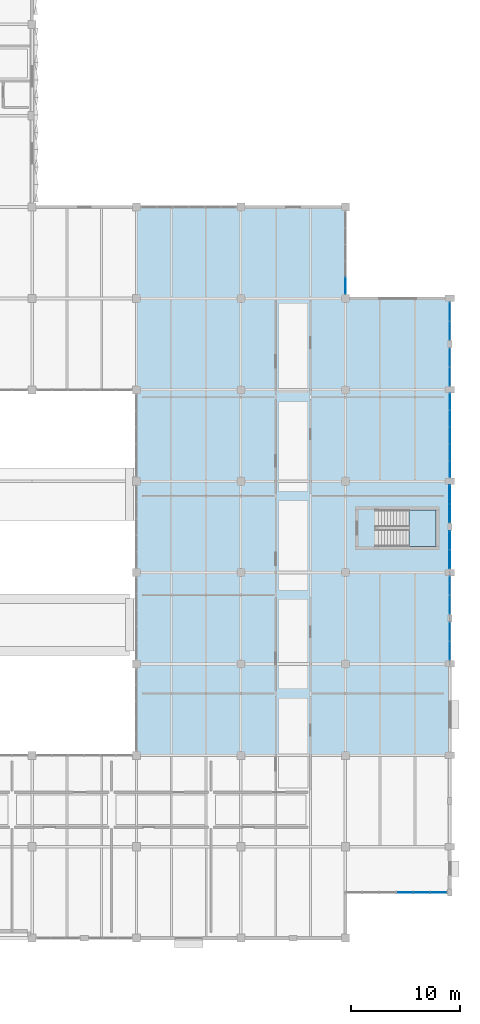
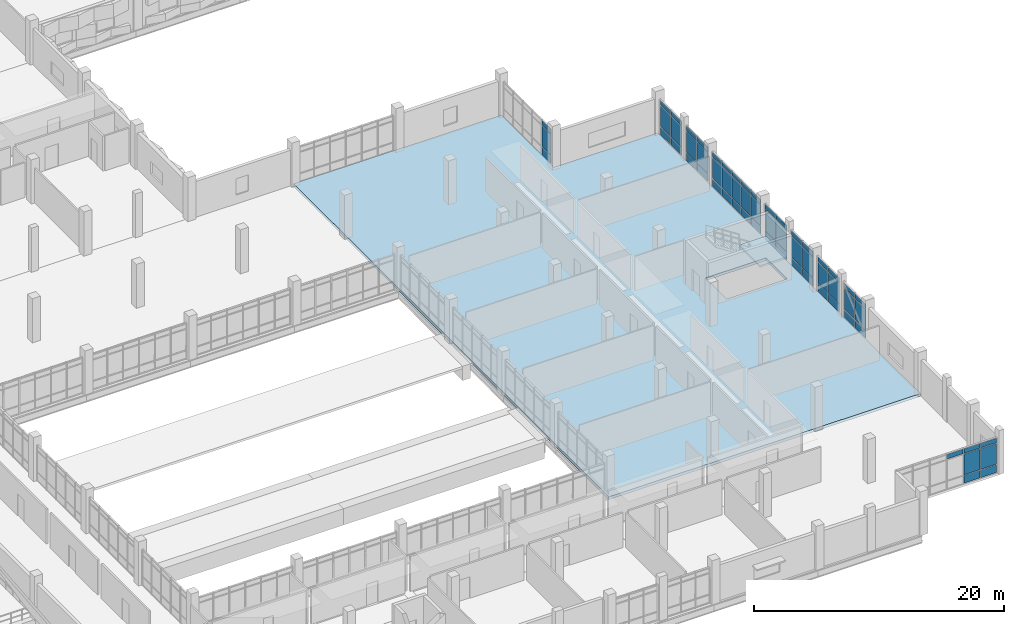
# One storey, part 45 of 86: 61 plates, 2 slabs, 10 elements without a shape of their own.
"""IFC4 building model written with IfcOpenShell, lengths in metres."""

from ifc_helpers import new_model, si_unit, direction, frame, origin, origin_2d, place, context, subcontext, project, spatial, polyline, rectangle, outline, extrude, material, layer, layer_set, type_object, element, aggregate, save


model = new_model("IFC4")

# Units and contexts
model_context = context("Model", 3, precision=1e-05, world=origin(), true_north=direction((0.0, 1.0)))
body_context = subcontext(model_context, "Body", "Model", "MODEL_VIEW")
ifc_project = project(units=[si_unit("LENGTHUNIT", "METRE"), si_unit("AREAUNIT", "SQUARE_METRE"), si_unit("VOLUMEUNIT", "CUBIC_METRE"), si_unit("PLANEANGLEUNIT", "RADIAN"), si_unit("MASSUNIT", "GRAM", prefix="KILO")], contexts=[model_context])

# Site, building, storey
site_placement = place(None, origin())
site = spatial("IfcSite", under=ifc_project, at=site_placement, CompositionType="ELEMENT")
building_placement = place(site_placement, origin())
building = spatial("IfcBuilding", under=site, at=building_placement, Name="Oolite Switchyard Hospital", CompositionType="ELEMENT")
storey_placement = place(building_placement, frame((0.0, 0.0, 13.5)))
storey = spatial("IfcBuildingStorey", under=building, at=storey_placement, Name="L03", CompositionType="ELEMENT", Elevation=13.5)

# Curtain wall, plates
ifc_material_1 = material(Name="Thermally broken aluminum frame with laminated impact glazing", Category="aluminium")
curtain_wall_type_1 = type_object("IfcCurtainWallType", Name="CW-UNIT-84X43", PredefinedType="USERDEFINED", material=ifc_material_1)
curtain_wall_1_placement = place(storey_placement, origin())
curtain_wall_1 = element("IfcCurtainWall", 1, at=curtain_wall_1_placement, inside=storey, type_object=curtain_wall_type_1, Name="L03 Unitised Curtain Wall 352", ObjectType="UNITISED", PredefinedType="USERDEFINED")
ifc_material_2 = material(Name="Insulated fluoropolymer-coated aluminum spandrel panel", Category="aluminium")
ifc_layer_1 = layer(ifc_material_2, 0.054931640625)
ifc_layer_set_1 = layer_set([ifc_layer_1], Name="CW-PNL-SPN55")
plate_type_1 = type_object("IfcPlateType", Name="CW-PNL-SPN55", PredefinedType="CURTAIN_PANEL", material=ifc_layer_set_1)
plate_1_placement = place(storey_placement, frame((211.199951171875, 49.18115234375, 0.06005859375), z_axis=(0.0, 0.0, 1.0), x_axis=(0.0, -1.0, 0.0)))
plate_1 = element("IfcPlate", 2, at=plate_1_placement, type_object=plate_type_1, Name="CW-09 panel 1.1", PredefinedType="CURTAIN_PANEL", context=body_context, shape_type="SweptSolid", body=[
    extrude(rectangle(XDim=1.66748046875, YDim=0.054931640625, at=origin_2d()), origin(), (0.0, 0.0, 1.0), 0.760009765625),
])
plate_2_placement = place(storey_placement, frame((211.199951171875, 49.18115234375, 0.8798828125), z_axis=(0.0, 0.0, 1.0), x_axis=(0.0, -1.0, 0.0)))
plate_2 = element("IfcPlate", 3, at=plate_2_placement, type_object=plate_type_1, Name="CW-09 panel 1.2", PredefinedType="CURTAIN_PANEL", context=body_context, shape_type="SweptSolid", body=[
    extrude(rectangle(XDim=1.66748046875, YDim=0.054931640625, at=origin_2d()), origin(), (0.0, 0.0, 1.0), 2.030029296875),
])
plate_3_placement = place(storey_placement, frame((211.199951171875, 49.18115234375, 2.969970703125), z_axis=(0.0, 0.0, 1.0), x_axis=(0.0, -1.0, 0.0)))
plate_3 = element("IfcPlate", 4, at=plate_3_placement, type_object=plate_type_1, Name="CW-09 panel 1.3", PredefinedType="CURTAIN_PANEL", context=body_context, shape_type="SweptSolid", body=[
    extrude(rectangle(XDim=1.66748046875, YDim=0.054931640625, at=origin_2d()), origin(), (0.0, 0.0, 1.0), 0.4599609375),
])
plate_4_placement = place(storey_placement, frame((211.199951171875, 47.44384765625, 0.06005859375), z_axis=(0.0, 0.0, 1.0), x_axis=(0.0, -1.0, 0.0)))
plate_4 = element("IfcPlate", 5, at=plate_4_placement, type_object=plate_type_1, Name="CW-09 panel 2.1", PredefinedType="CURTAIN_PANEL", context=body_context, shape_type="SweptSolid", body=[
    extrude(rectangle(XDim=1.66748046875, YDim=0.054931640625, at=origin_2d()), origin(), (0.0, 0.0, 1.0), 0.760009765625),
])
plate_5_placement = place(storey_placement, frame((211.199951171875, 47.44384765625, 0.8798828125), z_axis=(0.0, 0.0, 1.0), x_axis=(0.0, -1.0, 0.0)))
plate_5 = element("IfcPlate", 6, at=plate_5_placement, type_object=plate_type_1, Name="CW-09 panel 2.2", PredefinedType="CURTAIN_PANEL", context=body_context, shape_type="SweptSolid", body=[
    extrude(rectangle(XDim=1.66748046875, YDim=0.054931640625, at=origin_2d()), origin(), (0.0, 0.0, 1.0), 2.030029296875),
])
plate_6_placement = place(storey_placement, frame((211.199951171875, 47.44384765625, 2.969970703125), z_axis=(0.0, 0.0, 1.0), x_axis=(0.0, -1.0, 0.0)))
plate_6 = element("IfcPlate", 7, at=plate_6_placement, type_object=plate_type_1, Name="CW-09 panel 2.3", PredefinedType="CURTAIN_PANEL", context=body_context, shape_type="SweptSolid", body=[
    extrude(rectangle(XDim=1.66748046875, YDim=0.054931640625, at=origin_2d()), origin(), (0.0, 0.0, 1.0), 0.4599609375),
])
aggregate(curtain_wall_1, [plate_1, plate_2, plate_3, plate_4, plate_5, plate_6])

curtain_wall_type_2 = type_object("IfcCurtainWallType", Name="CW-UNIT-96X43", PredefinedType="USERDEFINED", material=ifc_material_1)
curtain_wall_2_placement = place(storey_placement, origin())
curtain_wall_2 = element("IfcCurtainWall", 8, at=curtain_wall_2_placement, inside=storey, type_object=curtain_wall_type_2, Name="L03 Unitised Curtain Wall 329", ObjectType="UNITISED", PredefinedType="USERDEFINED")
ifc_layer_2 = layer(ifc_material_2, 0.070068359375)
ifc_layer_set_2 = layer_set([ifc_layer_2], Name="CW-PNL-SPN70")
plate_type_2 = type_object("IfcPlateType", Name="CW-PNL-SPN70", PredefinedType="CURTAIN_PANEL", material=ifc_layer_set_2)
plate_7_placement = place(storey_placement, frame((210.1611328125, 12.60009765625, 0.0751953125), z_axis=(0.0, 0.0, 1.0), x_axis=(-1.0, 0.0, 0.0)))
plate_7 = element("IfcPlate", 9, at=plate_7_placement, type_object=plate_type_2, Name="CW-04 panel 1.1", PredefinedType="CURTAIN_PANEL", context=body_context, shape_type="SweptSolid", body=[
    extrude(rectangle(XDim=1.447509765625, YDim=0.070068359375, at=origin_2d()), origin(), (0.0, 0.0, 1.0), 0.737548828125),
])
plate_8_placement = place(storey_placement, frame((210.1611328125, 12.60009765625, 0.8876953125), z_axis=(0.0, 0.0, 1.0), x_axis=(-1.0, 0.0, 0.0)))
plate_8 = element("IfcPlate", 10, at=plate_8_placement, type_object=plate_type_2, Name="CW-04 panel 1.2", PredefinedType="CURTAIN_PANEL", context=body_context, shape_type="SweptSolid", body=[
    extrude(rectangle(XDim=1.447509765625, YDim=0.070068359375, at=origin_2d()), origin(), (0.0, 0.0, 1.0), 2.014892578125),
])
plate_9_placement = place(storey_placement, frame((210.1611328125, 12.60009765625, 2.9775390625), z_axis=(0.0, 0.0, 1.0), x_axis=(-1.0, 0.0, 0.0)))
plate_9 = element("IfcPlate", 11, at=plate_9_placement, type_object=plate_type_2, Name="CW-04 panel 1.3", PredefinedType="CURTAIN_PANEL", context=body_context, shape_type="SweptSolid", body=[
    extrude(rectangle(XDim=1.447509765625, YDim=0.070068359375, at=origin_2d()), origin(), (0.0, 0.0, 1.0), 0.4375),
])
plate_10_placement = place(storey_placement, frame((208.6201171875, 12.60009765625, 0.0751953125), z_axis=(0.0, 0.0, 1.0), x_axis=(-1.0, 0.0, 0.0)))
plate_10 = element("IfcPlate", 12, at=plate_10_placement, type_object=plate_type_2, Name="CW-04 panel 2.1", PredefinedType="CURTAIN_PANEL", context=body_context, shape_type="SweptSolid", body=[
    extrude(rectangle(XDim=1.485107421875, YDim=0.070068359375, at=origin_2d()), origin(), (0.0, 0.0, 1.0), 0.737548828125),
])
plate_11_placement = place(storey_placement, frame((208.6201171875, 12.60009765625, 0.8876953125), z_axis=(0.0, 0.0, 1.0), x_axis=(-1.0, 0.0, 0.0)))
plate_11 = element("IfcPlate", 13, at=plate_11_placement, type_object=plate_type_2, Name="CW-04 panel 2.2", PredefinedType="CURTAIN_PANEL", context=body_context, shape_type="SweptSolid", body=[
    extrude(rectangle(XDim=1.485107421875, YDim=0.070068359375, at=origin_2d()), origin(), (0.0, 0.0, 1.0), 2.014892578125),
])
plate_12_placement = place(storey_placement, frame((208.6201171875, 12.60009765625, 2.9775390625), z_axis=(0.0, 0.0, 1.0), x_axis=(-1.0, 0.0, 0.0)))
plate_12 = element("IfcPlate", 14, at=plate_12_placement, type_object=plate_type_2, Name="CW-04 panel 2.3", PredefinedType="CURTAIN_PANEL", context=body_context, shape_type="SweptSolid", body=[
    extrude(rectangle(XDim=1.485107421875, YDim=0.070068359375, at=origin_2d()), origin(), (0.0, 0.0, 1.0), 0.4375),
])
plate_13_placement = place(storey_placement, frame((207.06005859375, 12.60009765625, 2.9775390625), z_axis=(0.0, 0.0, 1.0), x_axis=(-1.0, 0.0, 0.0)))
plate_13 = element("IfcPlate", 15, at=plate_13_placement, type_object=plate_type_2, Name="CW-04 panel 3.3", PredefinedType="CURTAIN_PANEL", context=body_context, shape_type="SweptSolid", body=[
    extrude(rectangle(XDim=1.485107421875, YDim=0.070068359375, at=origin_2d()), origin(), (0.0, 0.0, 1.0), 0.4375),
])
aggregate(curtain_wall_2, [plate_7, plate_8, plate_9, plate_10, plate_11, plate_12, plate_13])

curtain_wall_3_placement = place(storey_placement, origin())
curtain_wall_3 = element("IfcCurtainWall", 16, at=curtain_wall_3_placement, inside=storey, type_object=curtain_wall_type_1, Name="L03 Unitised Curtain Wall 353", ObjectType="UNITISED", PredefinedType="USERDEFINED")
plate_14_placement = place(storey_placement, frame((211.199951171875, 44.955078125, 0.0751953125), z_axis=(0.0, 0.0, 1.0), x_axis=(0.0, -1.0, 0.0)))
plate_14 = element("IfcPlate", 17, at=plate_14_placement, type_object=plate_type_2, Name="CW-09 panel 1.1", PredefinedType="CURTAIN_PANEL", context=body_context, shape_type="SweptSolid", body=[
    extrude(rectangle(XDim=1.659912109375, YDim=0.070068359375, at=origin_2d()), origin(), (0.0, 0.0, 1.0), 0.737548828125),
])
plate_15_placement = place(storey_placement, frame((211.199951171875, 44.955078125, 0.8876953125), z_axis=(0.0, 0.0, 1.0), x_axis=(0.0, -1.0, 0.0)))
plate_15 = element("IfcPlate", 18, at=plate_15_placement, type_object=plate_type_2, Name="CW-09 panel 1.2", PredefinedType="CURTAIN_PANEL", context=body_context, shape_type="SweptSolid", body=[
    extrude(rectangle(XDim=1.659912109375, YDim=0.070068359375, at=origin_2d()), origin(), (0.0, 0.0, 1.0), 2.014892578125),
])
plate_16_placement = place(storey_placement, frame((211.199951171875, 44.955078125, 2.9775390625), z_axis=(0.0, 0.0, 1.0), x_axis=(0.0, -1.0, 0.0)))
plate_16 = element("IfcPlate", 19, at=plate_16_placement, type_object=plate_type_2, Name="CW-09 panel 1.3", PredefinedType="CURTAIN_PANEL", context=body_context, shape_type="SweptSolid", body=[
    extrude(rectangle(XDim=1.659912109375, YDim=0.070068359375, at=origin_2d()), origin(), (0.0, 0.0, 1.0), 0.4375),
])
plate_17_placement = place(storey_placement, frame((211.199951171875, 43.219970703125, 0.0751953125), z_axis=(0.0, 0.0, 1.0), x_axis=(0.0, -1.0, 0.0)))
plate_17 = element("IfcPlate", 20, at=plate_17_placement, type_object=plate_type_2, Name="CW-09 panel 2.1", PredefinedType="CURTAIN_PANEL", context=body_context, shape_type="SweptSolid", body=[
    extrude(rectangle(XDim=1.659912109375, YDim=0.070068359375, at=origin_2d()), origin(), (0.0, 0.0, 1.0), 0.737548828125),
])
plate_18_placement = place(storey_placement, frame((211.199951171875, 43.219970703125, 0.8876953125), z_axis=(0.0, 0.0, 1.0), x_axis=(0.0, -1.0, 0.0)))
plate_18 = element("IfcPlate", 21, at=plate_18_placement, type_object=plate_type_2, Name="CW-09 panel 2.2", PredefinedType="CURTAIN_PANEL", context=body_context, shape_type="SweptSolid", body=[
    extrude(rectangle(XDim=1.659912109375, YDim=0.070068359375, at=origin_2d()), origin(), (0.0, 0.0, 1.0), 2.014892578125),
])
plate_19_placement = place(storey_placement, frame((211.199951171875, 43.219970703125, 2.9775390625), z_axis=(0.0, 0.0, 1.0), x_axis=(0.0, -1.0, 0.0)))
plate_19 = element("IfcPlate", 22, at=plate_19_placement, type_object=plate_type_2, Name="CW-09 panel 2.3", PredefinedType="CURTAIN_PANEL", context=body_context, shape_type="SweptSolid", body=[
    extrude(rectangle(XDim=1.659912109375, YDim=0.070068359375, at=origin_2d()), origin(), (0.0, 0.0, 1.0), 0.4375),
])
aggregate(curtain_wall_3, [plate_14, plate_15, plate_16, plate_17, plate_18, plate_19])

curtain_wall_4_placement = place(storey_placement, origin())
curtain_wall_4 = element("IfcCurtainWall", 23, at=curtain_wall_4_placement, inside=storey, type_object=curtain_wall_type_1, Name="L03 Unitised Curtain Wall 354", ObjectType="UNITISED", PredefinedType="USERDEFINED")
ifc_material_3 = material(Name="Laminated hurricane-impact insulated glazing unit", Category="glass")
ifc_layer_3 = layer(ifc_material_3, 0.028076171875)
ifc_layer_set_3 = layer_set([ifc_layer_3], Name="CW-PNL-VIS28")
plate_type_3 = type_object("IfcPlateType", Name="CW-PNL-VIS28", PredefinedType="CURTAIN_PANEL", material=ifc_layer_set_3)
plate_20_placement = place(storey_placement, frame((211.199951171875, 40.78369140625, 0.06005859375), z_axis=(0.0, 0.0, 1.0), x_axis=(0.0, -1.0, 0.0)))
plate_20 = element("IfcPlate", 24, at=plate_20_placement, type_object=plate_type_3, Name="CW-09 panel 1.1", PredefinedType="CURTAIN_PANEL", context=body_context, shape_type="SweptSolid", body=[
    extrude(rectangle(XDim=1.6826171875, YDim=0.028076171875, at=origin_2d()), origin(), (0.0, 0.0, 1.0), 0.760009765625),
])
plate_21_placement = place(storey_placement, frame((211.199951171875, 40.78369140625, 0.8798828125), z_axis=(0.0, 0.0, 1.0), x_axis=(0.0, -1.0, 0.0)))
plate_21 = element("IfcPlate", 25, at=plate_21_placement, type_object=plate_type_3, Name="CW-09 panel 1.2", PredefinedType="CURTAIN_PANEL", context=body_context, shape_type="SweptSolid", body=[
    extrude(rectangle(XDim=1.6826171875, YDim=0.028076171875, at=origin_2d()), origin(), (0.0, 0.0, 1.0), 2.030029296875),
])
plate_22_placement = place(storey_placement, frame((211.199951171875, 40.78369140625, 2.969970703125), z_axis=(0.0, 0.0, 1.0), x_axis=(0.0, -1.0, 0.0)))
plate_22 = element("IfcPlate", 26, at=plate_22_placement, type_object=plate_type_3, Name="CW-09 panel 1.3", PredefinedType="CURTAIN_PANEL", context=body_context, shape_type="SweptSolid", body=[
    extrude(rectangle(XDim=1.6826171875, YDim=0.028076171875, at=origin_2d()), origin(), (0.0, 0.0, 1.0), 0.4599609375),
])
plate_23_placement = place(storey_placement, frame((211.199951171875, 39.041259765625, 0.06005859375), z_axis=(0.0, 0.0, 1.0), x_axis=(0.0, -1.0, 0.0)))
plate_23 = element("IfcPlate", 27, at=plate_23_placement, type_object=plate_type_3, Name="CW-09 panel 2.1", PredefinedType="CURTAIN_PANEL", context=body_context, shape_type="SweptSolid", body=[
    extrude(rectangle(XDim=1.6826171875, YDim=0.028076171875, at=origin_2d()), origin(), (0.0, 0.0, 1.0), 0.760009765625),
])
plate_24_placement = place(storey_placement, frame((211.199951171875, 39.041259765625, 0.8798828125), z_axis=(0.0, 0.0, 1.0), x_axis=(0.0, -1.0, 0.0)))
plate_24 = element("IfcPlate", 28, at=plate_24_placement, type_object=plate_type_3, Name="CW-09 panel 2.2", PredefinedType="CURTAIN_PANEL", context=body_context, shape_type="SweptSolid", body=[
    extrude(rectangle(XDim=1.6826171875, YDim=0.028076171875, at=origin_2d()), origin(), (0.0, 0.0, 1.0), 2.030029296875),
])
plate_25_placement = place(storey_placement, frame((211.199951171875, 39.041259765625, 2.969970703125), z_axis=(0.0, 0.0, 1.0), x_axis=(0.0, -1.0, 0.0)))
plate_25 = element("IfcPlate", 29, at=plate_25_placement, type_object=plate_type_3, Name="CW-09 panel 2.3", PredefinedType="CURTAIN_PANEL", context=body_context, shape_type="SweptSolid", body=[
    extrude(rectangle(XDim=1.6826171875, YDim=0.028076171875, at=origin_2d()), origin(), (0.0, 0.0, 1.0), 0.4599609375),
])
aggregate(curtain_wall_4, [plate_20, plate_21, plate_22, plate_23, plate_24, plate_25])

curtain_wall_5_placement = place(storey_placement, origin())
curtain_wall_5 = element("IfcCurtainWall", 30, at=curtain_wall_5_placement, inside=storey, type_object=curtain_wall_type_1, Name="L03 Unitised Curtain Wall 349", ObjectType="UNITISED", PredefinedType="USERDEFINED")
ifc_layer_4 = layer(ifc_material_3, 0.031982421875)
ifc_layer_set_4 = layer_set([ifc_layer_4], Name="CW-PNL-VIS32")
plate_type_4 = type_object("IfcPlateType", Name="CW-PNL-VIS32", PredefinedType="CURTAIN_PANEL", material=ifc_layer_set_4)
plate_26_placement = place(storey_placement, frame((211.199951171875, 65.981201171875, 0.0751953125), z_axis=(0.0, 0.0, 1.0), x_axis=(0.0, -1.0, 0.0)))
plate_26 = element("IfcPlate", 31, at=plate_26_placement, type_object=plate_type_4, Name="CW-09 panel 1.1", PredefinedType="CURTAIN_PANEL", context=body_context, shape_type="SweptSolid", body=[
    extrude(rectangle(XDim=1.66748046875, YDim=0.031982421875, at=origin_2d()), origin(), (0.0, 0.0, 1.0), 0.737548828125),
])
plate_27_placement = place(storey_placement, frame((211.199951171875, 65.981201171875, 0.8876953125), z_axis=(0.0, 0.0, 1.0), x_axis=(0.0, -1.0, 0.0)))
plate_27 = element("IfcPlate", 32, at=plate_27_placement, type_object=plate_type_4, Name="CW-09 panel 1.2", PredefinedType="CURTAIN_PANEL", context=body_context, shape_type="SweptSolid", body=[
    extrude(rectangle(XDim=1.66748046875, YDim=0.031982421875, at=origin_2d()), origin(), (0.0, 0.0, 1.0), 2.014892578125),
])
plate_28_placement = place(storey_placement, frame((211.199951171875, 65.981201171875, 2.9775390625), z_axis=(0.0, 0.0, 1.0), x_axis=(0.0, -1.0, 0.0)))
plate_28 = element("IfcPlate", 33, at=plate_28_placement, type_object=plate_type_4, Name="CW-09 panel 1.3", PredefinedType="CURTAIN_PANEL", context=body_context, shape_type="SweptSolid", body=[
    extrude(rectangle(XDim=1.66748046875, YDim=0.031982421875, at=origin_2d()), origin(), (0.0, 0.0, 1.0), 0.4375),
])
plate_29_placement = place(storey_placement, frame((211.199951171875, 64.24365234375, 0.0751953125), z_axis=(0.0, 0.0, 1.0), x_axis=(0.0, -1.0, 0.0)))
plate_29 = element("IfcPlate", 34, at=plate_29_placement, type_object=plate_type_4, Name="CW-09 panel 2.1", PredefinedType="CURTAIN_PANEL", context=body_context, shape_type="SweptSolid", body=[
    extrude(rectangle(XDim=1.66748046875, YDim=0.031982421875, at=origin_2d()), origin(), (0.0, 0.0, 1.0), 0.737548828125),
])
plate_30_placement = place(storey_placement, frame((211.199951171875, 64.24365234375, 0.8876953125), z_axis=(0.0, 0.0, 1.0), x_axis=(0.0, -1.0, 0.0)))
plate_30 = element("IfcPlate", 35, at=plate_30_placement, type_object=plate_type_4, Name="CW-09 panel 2.2", PredefinedType="CURTAIN_PANEL", context=body_context, shape_type="SweptSolid", body=[
    extrude(rectangle(XDim=1.66748046875, YDim=0.031982421875, at=origin_2d()), origin(), (0.0, 0.0, 1.0), 2.014892578125),
])
plate_31_placement = place(storey_placement, frame((211.199951171875, 64.24365234375, 2.9775390625), z_axis=(0.0, 0.0, 1.0), x_axis=(0.0, -1.0, 0.0)))
plate_31 = element("IfcPlate", 36, at=plate_31_placement, type_object=plate_type_4, Name="CW-09 panel 2.3", PredefinedType="CURTAIN_PANEL", context=body_context, shape_type="SweptSolid", body=[
    extrude(rectangle(XDim=1.66748046875, YDim=0.031982421875, at=origin_2d()), origin(), (0.0, 0.0, 1.0), 0.4375),
])
aggregate(curtain_wall_5, [plate_26, plate_27, plate_28, plate_29, plate_30, plate_31])

curtain_wall_6_placement = place(storey_placement, origin())
curtain_wall_6 = element("IfcCurtainWall", 37, at=curtain_wall_6_placement, inside=storey, type_object=curtain_wall_type_1, Name="L03 Unitised Curtain Wall 355", ObjectType="UNITISED", PredefinedType="USERDEFINED")
plate_32_placement = place(storey_placement, frame((211.199951171875, 36.55615234375, 0.0751953125), z_axis=(0.0, 0.0, 1.0), x_axis=(0.0, -1.0, 0.0)))
plate_32 = element("IfcPlate", 38, at=plate_32_placement, type_object=plate_type_4, Name="CW-09 panel 1.1", PredefinedType="CURTAIN_PANEL", context=body_context, shape_type="SweptSolid", body=[
    extrude(rectangle(XDim=1.66748046875, YDim=0.031982421875, at=origin_2d()), origin(), (0.0, 0.0, 1.0), 0.737548828125),
])
plate_33_placement = place(storey_placement, frame((211.199951171875, 36.55615234375, 0.8876953125), z_axis=(0.0, 0.0, 1.0), x_axis=(0.0, -1.0, 0.0)))
plate_33 = element("IfcPlate", 39, at=plate_33_placement, type_object=plate_type_4, Name="CW-09 panel 1.2", PredefinedType="CURTAIN_PANEL", context=body_context, shape_type="SweptSolid", body=[
    extrude(rectangle(XDim=1.66748046875, YDim=0.031982421875, at=origin_2d()), origin(), (0.0, 0.0, 1.0), 2.014892578125),
])
plate_34_placement = place(storey_placement, frame((211.199951171875, 36.55615234375, 2.9775390625), z_axis=(0.0, 0.0, 1.0), x_axis=(0.0, -1.0, 0.0)))
plate_34 = element("IfcPlate", 40, at=plate_34_placement, type_object=plate_type_4, Name="CW-09 panel 1.3", PredefinedType="CURTAIN_PANEL", context=body_context, shape_type="SweptSolid", body=[
    extrude(rectangle(XDim=1.66748046875, YDim=0.031982421875, at=origin_2d()), origin(), (0.0, 0.0, 1.0), 0.4375),
])
plate_35_placement = place(storey_placement, frame((211.199951171875, 34.81884765625, 0.0751953125), z_axis=(0.0, 0.0, 1.0), x_axis=(0.0, -1.0, 0.0)))
plate_35 = element("IfcPlate", 41, at=plate_35_placement, type_object=plate_type_4, Name="CW-09 panel 2.1", PredefinedType="CURTAIN_PANEL", context=body_context, shape_type="SweptSolid", body=[
    extrude(rectangle(XDim=1.66748046875, YDim=0.031982421875, at=origin_2d()), origin(), (0.0, 0.0, 1.0), 0.737548828125),
])
plate_36_placement = place(storey_placement, frame((211.199951171875, 34.81884765625, 0.8876953125), z_axis=(0.0, 0.0, 1.0), x_axis=(0.0, -1.0, 0.0)))
plate_36 = element("IfcPlate", 42, at=plate_36_placement, type_object=plate_type_4, Name="CW-09 panel 2.2", PredefinedType="CURTAIN_PANEL", context=body_context, shape_type="SweptSolid", body=[
    extrude(rectangle(XDim=1.66748046875, YDim=0.031982421875, at=origin_2d()), origin(), (0.0, 0.0, 1.0), 2.014892578125),
])
plate_37_placement = place(storey_placement, frame((211.199951171875, 34.81884765625, 2.9775390625), z_axis=(0.0, 0.0, 1.0), x_axis=(0.0, -1.0, 0.0)))
plate_37 = element("IfcPlate", 43, at=plate_37_placement, type_object=plate_type_4, Name="CW-09 panel 2.3", PredefinedType="CURTAIN_PANEL", context=body_context, shape_type="SweptSolid", body=[
    extrude(rectangle(XDim=1.66748046875, YDim=0.031982421875, at=origin_2d()), origin(), (0.0, 0.0, 1.0), 0.4375),
])
aggregate(curtain_wall_6, [plate_32, plate_33, plate_34, plate_35, plate_36, plate_37])

curtain_wall_7_placement = place(storey_placement, origin())
curtain_wall_7 = element("IfcCurtainWall", 44, at=curtain_wall_7_placement, inside=storey, type_object=curtain_wall_type_1, Name="L03 Unitised Curtain Wall 350", ObjectType="UNITISED", PredefinedType="USERDEFINED")
ifc_layer_5 = layer(ifc_material_3, 0.035888671875)
ifc_layer_set_5 = layer_set([ifc_layer_5], Name="CW-PNL-VIS36")
plate_type_5 = type_object("IfcPlateType", Name="CW-PNL-VIS36", PredefinedType="CURTAIN_PANEL", material=ifc_layer_set_5)
plate_38_placement = place(storey_placement, frame((211.199951171875, 61.7548828125, 0.06005859375), z_axis=(0.0, 0.0, 1.0), x_axis=(0.0, -1.0, 0.0)))
plate_38 = element("IfcPlate", 45, at=plate_38_placement, type_object=plate_type_5, Name="CW-09 panel 1.1", PredefinedType="CURTAIN_PANEL", context=body_context, shape_type="SweptSolid", body=[
    extrude(rectangle(XDim=1.659912109375, YDim=0.035888671875, at=origin_2d()), origin(), (0.0, 0.0, 1.0), 0.760009765625),
])
plate_39_placement = place(storey_placement, frame((211.199951171875, 61.7548828125, 0.8798828125), z_axis=(0.0, 0.0, 1.0), x_axis=(0.0, -1.0, 0.0)))
plate_39 = element("IfcPlate", 46, at=plate_39_placement, type_object=plate_type_5, Name="CW-09 panel 1.2", PredefinedType="CURTAIN_PANEL", context=body_context, shape_type="SweptSolid", body=[
    extrude(rectangle(XDim=1.659912109375, YDim=0.035888671875, at=origin_2d()), origin(), (0.0, 0.0, 1.0), 2.030029296875),
])
plate_40_placement = place(storey_placement, frame((211.199951171875, 61.7548828125, 2.969970703125), z_axis=(0.0, 0.0, 1.0), x_axis=(0.0, -1.0, 0.0)))
plate_40 = element("IfcPlate", 47, at=plate_40_placement, type_object=plate_type_5, Name="CW-09 panel 1.3", PredefinedType="CURTAIN_PANEL", context=body_context, shape_type="SweptSolid", body=[
    extrude(rectangle(XDim=1.659912109375, YDim=0.035888671875, at=origin_2d()), origin(), (0.0, 0.0, 1.0), 0.4599609375),
])
plate_41_placement = place(storey_placement, frame((211.199951171875, 60.02001953125, 0.06005859375), z_axis=(0.0, 0.0, 1.0), x_axis=(0.0, -1.0, 0.0)))
plate_41 = element("IfcPlate", 48, at=plate_41_placement, type_object=plate_type_5, Name="CW-09 panel 2.1", PredefinedType="CURTAIN_PANEL", context=body_context, shape_type="SweptSolid", body=[
    extrude(rectangle(XDim=1.659912109375, YDim=0.035888671875, at=origin_2d()), origin(), (0.0, 0.0, 1.0), 0.760009765625),
])
plate_42_placement = place(storey_placement, frame((211.199951171875, 60.02001953125, 0.8798828125), z_axis=(0.0, 0.0, 1.0), x_axis=(0.0, -1.0, 0.0)))
plate_42 = element("IfcPlate", 49, at=plate_42_placement, type_object=plate_type_5, Name="CW-09 panel 2.2", PredefinedType="CURTAIN_PANEL", context=body_context, shape_type="SweptSolid", body=[
    extrude(rectangle(XDim=1.659912109375, YDim=0.035888671875, at=origin_2d()), origin(), (0.0, 0.0, 1.0), 2.030029296875),
])
plate_43_placement = place(storey_placement, frame((211.199951171875, 60.02001953125, 2.969970703125), z_axis=(0.0, 0.0, 1.0), x_axis=(0.0, -1.0, 0.0)))
plate_43 = element("IfcPlate", 50, at=plate_43_placement, type_object=plate_type_5, Name="CW-09 panel 2.3", PredefinedType="CURTAIN_PANEL", context=body_context, shape_type="SweptSolid", body=[
    extrude(rectangle(XDim=1.659912109375, YDim=0.035888671875, at=origin_2d()), origin(), (0.0, 0.0, 1.0), 0.4599609375),
])
aggregate(curtain_wall_7, [plate_38, plate_39, plate_40, plate_41, plate_42, plate_43])

curtain_wall_8_placement = place(storey_placement, origin())
curtain_wall_8 = element("IfcCurtainWall", 51, at=curtain_wall_8_placement, inside=storey, type_object=curtain_wall_type_1, Name="L03 Unitised Curtain Wall 348", ObjectType="UNITISED", PredefinedType="USERDEFINED")
ifc_layer_6 = layer(ifc_material_3, 0.0419921875)
ifc_layer_set_6 = layer_set([ifc_layer_6], Name="CW-PNL-VIS42")
plate_type_6 = type_object("IfcPlateType", Name="CW-PNL-VIS42", PredefinedType="CURTAIN_PANEL", material=ifc_layer_set_6)
plate_44_placement = place(storey_placement, frame((201.60009765625, 68.366943359375, 0.06005859375), z_axis=(0.0, 0.0, 1.0), x_axis=(0.0, -1.0, 0.0)))
plate_44 = element("IfcPlate", 52, at=plate_44_placement, type_object=plate_type_6, Name="CW-09 panel 5.1", PredefinedType="CURTAIN_PANEL", context=body_context, shape_type="SweptSolid", body=[
    extrude(rectangle(XDim=1.43408203125, YDim=0.0419921875, at=origin_2d()), origin(), (0.0, 0.0, 1.0), 0.760009765625),
])
plate_45_placement = place(storey_placement, frame((201.60009765625, 68.366943359375, 0.8798828125), z_axis=(0.0, 0.0, 1.0), x_axis=(0.0, -1.0, 0.0)))
plate_45 = element("IfcPlate", 53, at=plate_45_placement, type_object=plate_type_6, Name="CW-09 panel 5.2", PredefinedType="CURTAIN_PANEL", context=body_context, shape_type="SweptSolid", body=[
    extrude(rectangle(XDim=1.43408203125, YDim=0.0419921875, at=origin_2d()), origin(), (0.0, 0.0, 1.0), 2.030029296875),
])
plate_46_placement = place(storey_placement, frame((201.60009765625, 68.366943359375, 2.969970703125), z_axis=(0.0, 0.0, 1.0), x_axis=(0.0, -1.0, 0.0)))
plate_46 = element("IfcPlate", 54, at=plate_46_placement, type_object=plate_type_6, Name="CW-09 panel 5.3", PredefinedType="CURTAIN_PANEL", context=body_context, shape_type="SweptSolid", body=[
    extrude(rectangle(XDim=1.43408203125, YDim=0.0419921875, at=origin_2d()), origin(), (0.0, 0.0, 1.0), 0.4599609375),
])
aggregate(curtain_wall_8, [plate_44, plate_45, plate_46])

curtain_wall_9_placement = place(storey_placement, origin())
curtain_wall_9 = element("IfcCurtainWall", 55, at=curtain_wall_9_placement, inside=storey, type_object=curtain_wall_type_1, Name="L03 Unitised Curtain Wall 351", ObjectType="UNITISED", PredefinedType="USERDEFINED")
plate_47_placement = place(storey_placement, frame((211.199951171875, 57.693115234375, 0.0751953125), z_axis=(0.0, 0.0, 1.0), x_axis=(0.0, -1.0, 0.0)))
plate_47 = element("IfcPlate", 56, at=plate_47_placement, type_object=plate_type_6, Name="CW-09 panel 1.1", PredefinedType="CURTAIN_PANEL", context=body_context, shape_type="SweptSolid", body=[
    extrude(rectangle(XDim=1.464111328125, YDim=0.0419921875, at=origin_2d()), origin(), (0.0, 0.0, 1.0), 0.737548828125),
])
plate_48_placement = place(storey_placement, frame((211.199951171875, 57.693115234375, 0.8876953125), z_axis=(0.0, 0.0, 1.0), x_axis=(0.0, -1.0, 0.0)))
plate_48 = element("IfcPlate", 57, at=plate_48_placement, type_object=plate_type_6, Name="CW-09 panel 1.2", PredefinedType="CURTAIN_PANEL", context=body_context, shape_type="SweptSolid", body=[
    extrude(rectangle(XDim=1.464111328125, YDim=0.0419921875, at=origin_2d()), origin(), (0.0, 0.0, 1.0), 2.014892578125),
])
plate_49_placement = place(storey_placement, frame((211.199951171875, 57.693115234375, 2.9775390625), z_axis=(0.0, 0.0, 1.0), x_axis=(0.0, -1.0, 0.0)))
plate_49 = element("IfcPlate", 58, at=plate_49_placement, type_object=plate_type_6, Name="CW-09 panel 1.3", PredefinedType="CURTAIN_PANEL", context=body_context, shape_type="SweptSolid", body=[
    extrude(rectangle(XDim=1.464111328125, YDim=0.0419921875, at=origin_2d()), origin(), (0.0, 0.0, 1.0), 0.4375),
])
plate_50_placement = place(storey_placement, frame((211.199951171875, 56.154052734375, 0.0751953125), z_axis=(0.0, 0.0, 1.0), x_axis=(0.0, -1.0, 0.0)))
plate_50 = element("IfcPlate", 59, at=plate_50_placement, type_object=plate_type_6, Name="CW-09 panel 2.1", PredefinedType="CURTAIN_PANEL", context=body_context, shape_type="SweptSolid", body=[
    extrude(rectangle(XDim=1.493896484375, YDim=0.0419921875, at=origin_2d()), origin(), (0.0, 0.0, 1.0), 0.737548828125),
])
plate_51_placement = place(storey_placement, frame((211.199951171875, 56.154052734375, 0.8876953125), z_axis=(0.0, 0.0, 1.0), x_axis=(0.0, -1.0, 0.0)))
plate_51 = element("IfcPlate", 60, at=plate_51_placement, type_object=plate_type_6, Name="CW-09 panel 2.2", PredefinedType="CURTAIN_PANEL", context=body_context, shape_type="SweptSolid", body=[
    extrude(rectangle(XDim=1.493896484375, YDim=0.0419921875, at=origin_2d()), origin(), (0.0, 0.0, 1.0), 2.014892578125),
])
plate_52_placement = place(storey_placement, frame((211.199951171875, 56.154052734375, 2.9775390625), z_axis=(0.0, 0.0, 1.0), x_axis=(0.0, -1.0, 0.0)))
plate_52 = element("IfcPlate", 61, at=plate_52_placement, type_object=plate_type_6, Name="CW-09 panel 2.3", PredefinedType="CURTAIN_PANEL", context=body_context, shape_type="SweptSolid", body=[
    extrude(rectangle(XDim=1.493896484375, YDim=0.0419921875, at=origin_2d()), origin(), (0.0, 0.0, 1.0), 0.4375),
])
plate_53_placement = place(storey_placement, frame((211.199951171875, 54.60009765625, 0.0751953125), z_axis=(0.0, 0.0, 1.0), x_axis=(0.0, -1.0, 0.0)))
plate_53 = element("IfcPlate", 62, at=plate_53_placement, type_object=plate_type_6, Name="CW-09 panel 3.1", PredefinedType="CURTAIN_PANEL", context=body_context, shape_type="SweptSolid", body=[
    extrude(rectangle(XDim=1.493896484375, YDim=0.0419921875, at=origin_2d()), origin(), (0.0, 0.0, 1.0), 0.737548828125),
])
plate_54_placement = place(storey_placement, frame((211.199951171875, 54.60009765625, 0.8876953125), z_axis=(0.0, 0.0, 1.0), x_axis=(0.0, -1.0, 0.0)))
plate_54 = element("IfcPlate", 63, at=plate_54_placement, type_object=plate_type_6, Name="CW-09 panel 3.2", PredefinedType="CURTAIN_PANEL", context=body_context, shape_type="SweptSolid", body=[
    extrude(rectangle(XDim=1.493896484375, YDim=0.0419921875, at=origin_2d()), origin(), (0.0, 0.0, 1.0), 2.014892578125),
])
plate_55_placement = place(storey_placement, frame((211.199951171875, 54.60009765625, 2.9775390625), z_axis=(0.0, 0.0, 1.0), x_axis=(0.0, -1.0, 0.0)))
plate_55 = element("IfcPlate", 64, at=plate_55_placement, type_object=plate_type_6, Name="CW-09 panel 3.3", PredefinedType="CURTAIN_PANEL", context=body_context, shape_type="SweptSolid", body=[
    extrude(rectangle(XDim=1.493896484375, YDim=0.0419921875, at=origin_2d()), origin(), (0.0, 0.0, 1.0), 0.4375),
])
plate_56_placement = place(storey_placement, frame((211.199951171875, 53.0458984375, 0.0751953125), z_axis=(0.0, 0.0, 1.0), x_axis=(0.0, -1.0, 0.0)))
plate_56 = element("IfcPlate", 65, at=plate_56_placement, type_object=plate_type_6, Name="CW-09 panel 4.1", PredefinedType="CURTAIN_PANEL", context=body_context, shape_type="SweptSolid", body=[
    extrude(rectangle(XDim=1.493896484375, YDim=0.0419921875, at=origin_2d()), origin(), (0.0, 0.0, 1.0), 0.737548828125),
])
plate_57_placement = place(storey_placement, frame((211.199951171875, 53.0458984375, 0.8876953125), z_axis=(0.0, 0.0, 1.0), x_axis=(0.0, -1.0, 0.0)))
plate_57 = element("IfcPlate", 66, at=plate_57_placement, type_object=plate_type_6, Name="CW-09 panel 4.2", PredefinedType="CURTAIN_PANEL", context=body_context, shape_type="SweptSolid", body=[
    extrude(rectangle(XDim=1.493896484375, YDim=0.0419921875, at=origin_2d()), origin(), (0.0, 0.0, 1.0), 2.014892578125),
])
plate_58_placement = place(storey_placement, frame((211.199951171875, 53.0458984375, 2.9775390625), z_axis=(0.0, 0.0, 1.0), x_axis=(0.0, -1.0, 0.0)))
plate_58 = element("IfcPlate", 67, at=plate_58_placement, type_object=plate_type_6, Name="CW-09 panel 4.3", PredefinedType="CURTAIN_PANEL", context=body_context, shape_type="SweptSolid", body=[
    extrude(rectangle(XDim=1.493896484375, YDim=0.0419921875, at=origin_2d()), origin(), (0.0, 0.0, 1.0), 0.4375),
])
plate_59_placement = place(storey_placement, frame((211.199951171875, 51.507080078125, 0.0751953125), z_axis=(0.0, 0.0, 1.0), x_axis=(0.0, -1.0, 0.0)))
plate_59 = element("IfcPlate", 68, at=plate_59_placement, type_object=plate_type_6, Name="CW-09 panel 5.1", PredefinedType="CURTAIN_PANEL", context=body_context, shape_type="SweptSolid", body=[
    extrude(rectangle(XDim=1.464111328125, YDim=0.0419921875, at=origin_2d()), origin(), (0.0, 0.0, 1.0), 0.737548828125),
])
plate_60_placement = place(storey_placement, frame((211.199951171875, 51.507080078125, 0.8876953125), z_axis=(0.0, 0.0, 1.0), x_axis=(0.0, -1.0, 0.0)))
plate_60 = element("IfcPlate", 69, at=plate_60_placement, type_object=plate_type_6, Name="CW-09 panel 5.2", PredefinedType="CURTAIN_PANEL", context=body_context, shape_type="SweptSolid", body=[
    extrude(rectangle(XDim=1.464111328125, YDim=0.0419921875, at=origin_2d()), origin(), (0.0, 0.0, 1.0), 2.014892578125),
])
plate_61_placement = place(storey_placement, frame((211.199951171875, 51.507080078125, 2.9775390625), z_axis=(0.0, 0.0, 1.0), x_axis=(0.0, -1.0, 0.0)))
plate_61 = element("IfcPlate", 70, at=plate_61_placement, type_object=plate_type_6, Name="CW-09 panel 5.3", PredefinedType="CURTAIN_PANEL", context=body_context, shape_type="SweptSolid", body=[
    extrude(rectangle(XDim=1.464111328125, YDim=0.0419921875, at=origin_2d()), origin(), (0.0, 0.0, 1.0), 0.4375),
])
aggregate(curtain_wall_9, [plate_47, plate_48, plate_49, plate_50, plate_51, plate_52, plate_53, plate_54, plate_55, plate_56, plate_57, plate_58, plate_59, plate_60, plate_61])

# Slab
ifc_material_4 = material(Name="Concrete C40/50", Category="concrete")
ifc_layer_7 = layer(ifc_material_4, 0.27490234375)
ifc_layer_set_7 = layer_set([ifc_layer_7], Name="SLB-FLR-275")
slab_type_1 = type_object("IfcSlabType", Name="SLB-FLR-275", PredefinedType="FLOOR", material=ifc_layer_set_7)
slab_1_placement = place(storey_placement, frame((0.0, 0.0, -0.27490234375)))
element("IfcSlab", 71, at=slab_1_placement, inside=storey, type_object=slab_type_1, Name="L03 V6 Slab V6E", PredefinedType="FLOOR", context=body_context, shape_type="SweptSolid", body=[
    extrude(outline(polyline([(182.39990234375, 25.199951171875), (211.199951171875, 25.199951171875), (211.199951171875, 67.199951171875), (201.60009765625, 67.199951171875), (201.60009765625, 75.60009765625), (182.39990234375, 75.60009765625), (182.39990234375, 25.199951171875)]), holes=[polyline([(204.360107421875, 44.39990234375), (209.949951171875, 44.39990234375), (209.949951171875, 47.760009765625), (204.360107421875, 47.760009765625), (204.360107421875, 44.39990234375)])]), origin(), (0.0, 0.0, 1.0), 0.27490234375),
])

# Stair, slab
stair_type = type_object("IfcStairType", Name="STR-DL-156-R24", PredefinedType="HALF_TURN_STAIR", material=ifc_material_4)
stair_placement = place(storey_placement, origin())
stair = element("IfcStair", 72, at=stair_placement, inside=storey, type_object=stair_type, Name="L03 Exit Stair ST-06", PredefinedType="HALF_TURN_STAIR")
ifc_layer_8 = layer(ifc_material_4, 0.199951171875)
ifc_layer_set_8 = layer_set([ifc_layer_8], Name="SLB-LND-200")
slab_type_2 = type_object("IfcSlabType", Name="SLB-LND-200", PredefinedType="LANDING", material=ifc_layer_set_8)
slab_2_placement = place(storey_placement, frame((0.0, 0.0, 1.949951171875)))
slab_2 = element("IfcSlab", 73, at=slab_2_placement, type_object=slab_type_2, Name="ST-06 landing 1", PredefinedType="LANDING", context=body_context, shape_type="SweptSolid", body=[
    extrude(outline(polyline([(207.43994140625, 44.39990234375), (209.949951171875, 44.39990234375), (209.949951171875, 47.760009765625), (207.43994140625, 47.760009765625), (207.43994140625, 44.39990234375)])), origin(), (0.0, 0.0, 1.0), 0.199951171875),
])
aggregate(stair, [slab_2])

save(model, "model.ifc")
